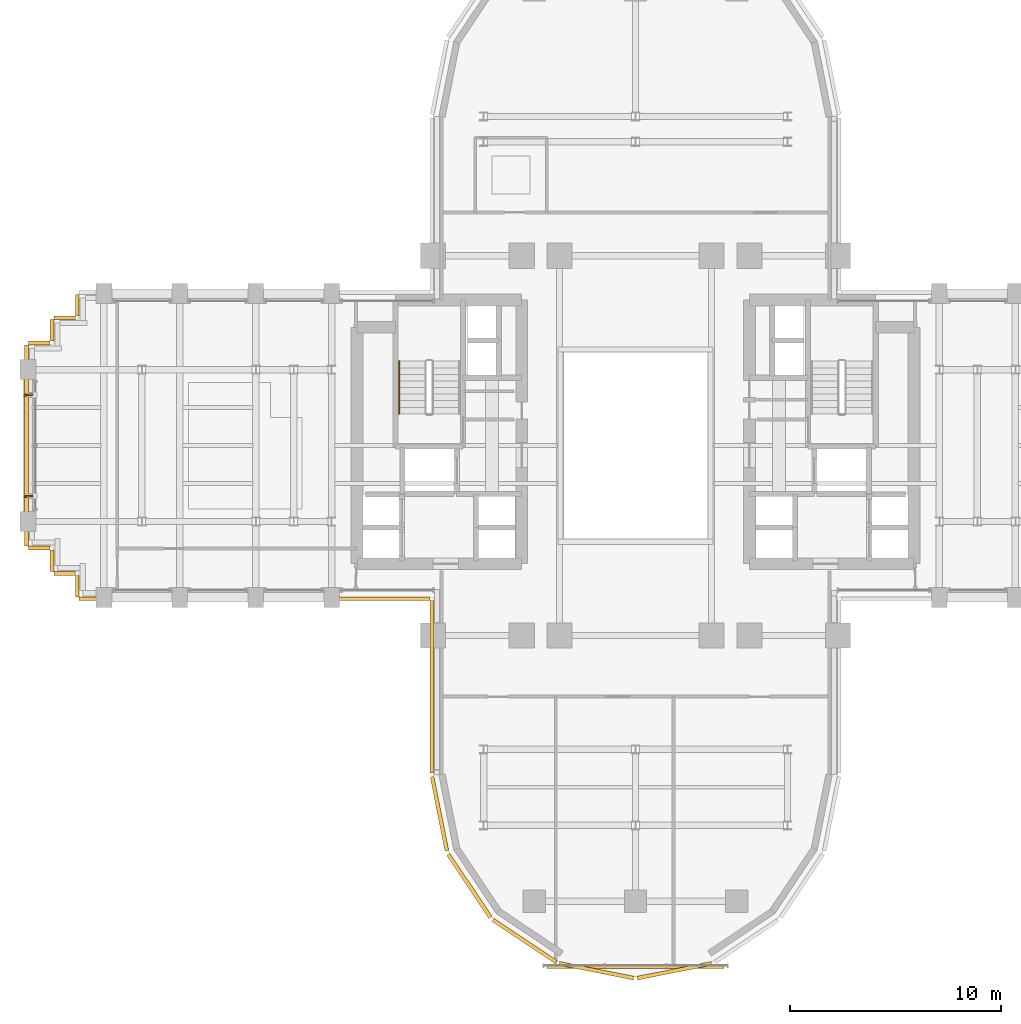
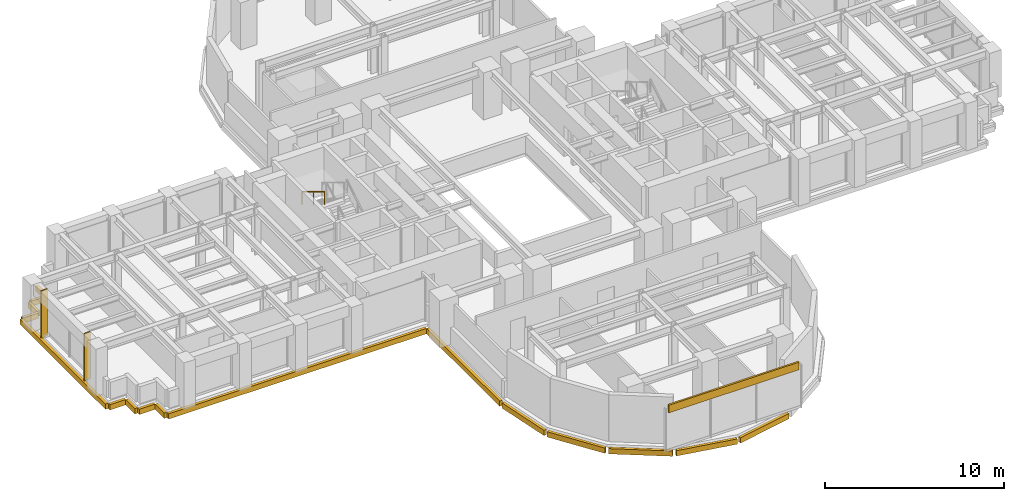
# One storey, part 13 of 16: 17 coverings, 2 shading devices, 1 railing.
"""IFC4 building model written with IfcOpenShell, lengths in metres."""

from ifc_helpers import new_model, si_unit, direction, frame, origin, origin_2d, place, context, subcontext, project, spatial, rectangle, extrude, source, transform, mapped, material, layer, layer_set, type_object, element, save


model = new_model("IFC4")

# Units and contexts
model_context = context("Model", 3, precision=1e-05, world=origin(), true_north=direction((0.0, 1.0)))
body_context = subcontext(model_context, "Body", "Model", "MODEL_VIEW")
ifc_project = project(units=[si_unit("LENGTHUNIT", "METRE"), si_unit("AREAUNIT", "SQUARE_METRE"), si_unit("VOLUMEUNIT", "CUBIC_METRE"), si_unit("PLANEANGLEUNIT", "RADIAN"), si_unit("MASSUNIT", "GRAM", prefix="KILO")], contexts=[model_context])

# Site, building, storey
site_placement = place(None, origin())
site = spatial("IfcSite", under=ifc_project, at=site_placement, CompositionType="ELEMENT")
building_placement = place(site_placement, origin())
building = spatial("IfcBuilding", under=site, at=building_placement, Name="Keilestroom Media Tower", CompositionType="ELEMENT")
storey_placement = place(building_placement, frame((0.0, 0.0, 51.0)))
storey = spatial("IfcBuildingStorey", under=building, at=storey_placement, Name="L12", CompositionType="ELEMENT", Elevation=51.0)

# Railing
ifc_material_1 = material(Name="Brushed Stainless Steel 1.4301", Category="steel")
railing_type = type_object("IfcRailingType", Name="Stair-Pitch-Handrail-920", PredefinedType="HANDRAIL", material=ifc_material_1)
railing_placement = place(storey_placement, frame((-11.2099609375, 3.99609375, 1.888916015625)))
element("IfcRailing", 1, at=railing_placement, inside=storey, type_object=railing_type, Name="L12 ST-1 stair handrail 2", PredefinedType="HANDRAIL", context=body_context, shape_type="SweptSolid", body=[
    extrude(rectangle(XDim=0.048095703125, YDim=0.048095703125, at=origin_2d()), frame((0.0, 0.0, 0.8759765625), z_axis=(0.0, -0.855470815493, 0.517851024754), x_axis=(1.0, 0.0, 0.0)), (0.0, 0.0, 1.0), 2.917724609375),
    extrude(rectangle(XDim=0.0419921875, YDim=0.0419921875, at=origin_2d()), origin(), (0.0, 0.0, 1.0), 0.84375),
    extrude(rectangle(XDim=0.0419921875, YDim=0.0419921875, at=origin_2d()), frame((0.0, -1.248046875, 0.75537109375)), (0.0, 0.0, 1.0), 0.84375),
    extrude(rectangle(XDim=0.0419921875, YDim=0.0419921875, at=origin_2d()), frame((0.0, -2.49609375, 1.510986328125)), (0.0, 0.0, 1.0), 0.84375),
])

# Covering
ifc_material_2 = material(Name="Precast concrete C40/50", Category="concrete")
ifc_layer = layer(ifc_material_2, 0.1201171875)
ifc_layer_set = layer_set([ifc_layer], Name="Precast concrete C40/50")
covering_type = type_object("IfcCoveringType", Name="Exterior-Precast-Spandrel-Cladding-Panel-120", PredefinedType="CLADDING", material=ifc_layer_set)
shared_shape_1 = source(origin(), body_context, "Body", "SweptSolid", [
    extrude(rectangle(XDim=8.39990234375, YDim=0.1201171875, at=origin_2d()), origin(), (0.0, 0.0, 1.0), 0.52001953125),
])
covering_1_placement = place(storey_placement, frame((0.0, -24.719970703125, 2.68994140625), z_axis=(0.0, 0.0, 1.0), x_axis=(1.0, 0.0, 0.0)))
element("IfcCovering", 2, at=covering_1_placement, inside=storey, type_object=covering_type, Name="L12 Precast Spandrel Cladding S", PredefinedType="CLADDING", context=body_context, shape_type="MappedRepresentation", body=[
    mapped(shared_shape_1, transform((0.0, 0.0, 0.0), x_axis=(1.0, 0.0, 0.0), y_axis=(0.0, 1.0, 0.0), z_axis=(0.0, 0.0, 1.0), scale=1.0)),
])

# Shading devices
ifc_material_3 = material(Name="Bronze Anodised Aluminium", Category="aluminium")
shading_device_type = type_object("IfcShadingDeviceType", Name="Facade-Vertical-Sunshade-Fin-SHD-1", PredefinedType="USERDEFINED", material=ifc_material_3)
shared_shape_2 = source(origin(), body_context, "Body", "SweptSolid", [
    extrude(rectangle(XDim=0.419921875, YDim=0.080078125, at=origin_2d()), origin(), (0.0, 0.0, 1.0), 3.199951171875),
])
for number, where, z_axis, x_axis, name in (
    (3, (-28.77001953125, -2.39990234375, 0.0), (0.0, 0.0, 1.0), (0.996792860627, 0.080024952375, 0.0), "L12 Twisting Sunshade Fin SHD-1 009"),
    (4, (-28.77001953125, 2.39990234375, 0.0), (0.0, 0.0, 1.0), (0.996792860627, 0.080024952375, 0.0), "L12 Twisting Sunshade Fin SHD-1 010"),
):
    element("IfcShadingDevice", number, at=place(storey_placement, frame(where, z_axis=z_axis, x_axis=x_axis)), inside=storey, type_object=shading_device_type, Name=name, ObjectType="SUNSHADE", PredefinedType="USERDEFINED", context=body_context, shape_type="MappedRepresentation", body=[
        mapped(shared_shape_2, transform((0.0, 0.0, 0.0), x_axis=(1.0, 0.0, 0.0), y_axis=(0.0, 1.0, 0.0), z_axis=(0.0, 0.0, 1.0), scale=1.0)),
    ])

# Coverings
shared_shape_3 = source(origin(), body_context, "Body", "SweptSolid", [
    extrude(rectangle(XDim=1.02001953125, YDim=0.179931640625, at=origin_2d()), origin(), (0.0, 0.0, 1.0), 0.360107421875),
])
for number, where, z_axis, x_axis, name in (
    (5, (-26.4599609375, -6.659912109375, -0.5400390625), (0.0, 0.0, 1.0), (0.0, 1.0, 0.0), "L12 Precast Slab-Edge Fascia Cornice 17"),
    (6, (-27.06005859375, -6.06005859375, -0.5400390625), (0.0, 0.0, 1.0), (-1.0, 0.0, 0.0), "L12 Precast Slab-Edge Fascia Cornice 18"),
    (7, (-27.659912109375, -5.4599609375, -0.5400390625), (0.0, 0.0, 1.0), (0.0, 1.0, 0.0), "L12 Precast Slab-Edge Fascia Cornice 19"),
    (8, (-28.260009765625, -4.860107421875, -0.5400390625), (0.0, 0.0, 1.0), (-1.0, 0.0, 0.0), "L12 Precast Slab-Edge Fascia Cornice 20"),
    (9, (-28.260009765625, 4.860107421875, -0.5400390625), (0.0, 0.0, 1.0), (1.0, 0.0, 0.0), "L12 Precast Slab-Edge Fascia Cornice 22"),
    (10, (-27.659912109375, 5.4599609375, -0.5400390625), (0.0, 0.0, 1.0), (0.0, 1.0, 0.0), "L12 Precast Slab-Edge Fascia Cornice 23"),
    (11, (-27.06005859375, 6.06005859375, -0.5400390625), (0.0, 0.0, 1.0), (1.0, 0.0, 0.0), "L12 Precast Slab-Edge Fascia Cornice 24"),
    (12, (-26.4599609375, 6.659912109375, -0.5400390625), (0.0, 0.0, 1.0), (0.0, 1.0, 0.0), "L12 Precast Slab-Edge Fascia Cornice 25"),
):
    element("IfcCovering", number, at=place(storey_placement, frame(where, z_axis=z_axis, x_axis=x_axis)), inside=storey, type_object=covering_type, Name=name, PredefinedType="CLADDING", context=body_context, shape_type="MappedRepresentation", body=[
        mapped(shared_shape_3, transform((0.0, 0.0, 0.0), x_axis=(1.0, 0.0, 0.0), y_axis=(0.0, 1.0, 0.0), z_axis=(0.0, 0.0, 1.0), scale=1.0)),
    ])
shared_shape_4 = source(origin(), body_context, "Body", "SweptSolid", [
    extrude(rectangle(XDim=16.6201171875, YDim=0.179931640625, at=origin_2d()), origin(), (0.0, 0.0, 1.0), 0.360107421875),
])
covering_2_placement = place(storey_placement, frame((-18.06005859375, -7.260009765625, -0.5400390625), z_axis=(0.0, 0.0, 1.0), x_axis=(-1.0, 0.0, 0.0)))
element("IfcCovering", 13, at=covering_2_placement, inside=storey, type_object=covering_type, Name="L12 Precast Slab-Edge Fascia Cornice 16", PredefinedType="CLADDING", context=body_context, shape_type="MappedRepresentation", body=[
    mapped(shared_shape_4, transform((0.0, 0.0, 0.0), x_axis=(1.0, 0.0, 0.0), y_axis=(0.0, 1.0, 0.0), z_axis=(0.0, 0.0, 1.0), scale=1.0)),
])
shared_shape_5 = source(origin(), body_context, "Body", "SweptSolid", [
    extrude(rectangle(XDim=8.166015625, YDim=0.179931640625, at=origin_2d()), origin(), (0.0, 0.0, 1.0), 0.360107421875),
])
covering_3_placement = place(storey_placement, frame((-9.659912109375, -11.43310546875, -0.5400390625), z_axis=(0.0, 0.0, 1.0), x_axis=(0.0, 1.0, 0.0)))
element("IfcCovering", 14, at=covering_3_placement, inside=storey, type_object=covering_type, Name="L12 Precast Slab-Edge Fascia Cornice 15", PredefinedType="CLADDING", context=body_context, shape_type="MappedRepresentation", body=[
    mapped(shared_shape_5, transform((0.0, 0.0, 0.0), x_axis=(1.0, 0.0, 0.0), y_axis=(0.0, 1.0, 0.0), z_axis=(0.0, 0.0, 1.0), scale=1.0)),
])
shared_shape_6 = source(origin(), body_context, "Body", "SweptSolid", [
    extrude(rectangle(XDim=3.58349609375, YDim=0.179931640625, at=origin_2d()), origin(), (0.0, 0.0, 1.0), 0.360107421875),
])
covering_4_placement = place(storey_placement, frame((-9.29296875, -17.45166015625, -0.5400390625), z_axis=(0.0, 0.0, 1.0), x_axis=(-0.195098880975, 0.980783577882, 0.0)))
element("IfcCovering", 15, at=covering_4_placement, inside=storey, type_object=covering_type, Name="L12 Precast Slab-Edge Fascia Cornice 14", PredefinedType="CLADDING", context=body_context, shape_type="MappedRepresentation", body=[
    mapped(shared_shape_6, transform((0.0, 0.0, 0.0), x_axis=(1.0, 0.0, 0.0), y_axis=(0.0, 1.0, 0.0), z_axis=(0.0, 0.0, 1.0), scale=1.0)),
])
shared_shape_7 = source(origin(), body_context, "Body", "SweptSolid", [
    extrude(rectangle(XDim=3.589599609375, YDim=0.179931640625, at=origin_2d()), origin(), (0.0, 0.0, 1.0), 0.360107421875),
])
for number, where, z_axis, x_axis, name in (
    (16, (1.8486328125, -24.893310546875, -0.5400390625), (0.0, 0.0, 1.0), (-0.980783577882, -0.195098880975, 0.0), "L12 Precast Slab-Edge Fascia Cornice 10"),
    (17, (-1.8486328125, -24.893310546875, -0.5400390625), (0.0, 0.0, 1.0), (-0.980783577882, 0.195098880975, 0.0), "L12 Precast Slab-Edge Fascia Cornice 11"),
    (18, (-5.264404296875, -23.478515625, -0.5400390625), (0.0, 0.0, 1.0), (-0.831466703332, 0.555574586577, 0.0), "L12 Precast Slab-Edge Fascia Cornice 12"),
    (19, (-7.878662109375, -20.8642578125, -0.5400390625), (0.0, 0.0, 1.0), (-0.555574586577, 0.831466703332, 0.0), "L12 Precast Slab-Edge Fascia Cornice 13"),
):
    element("IfcCovering", number, at=place(storey_placement, frame(where, z_axis=z_axis, x_axis=x_axis)), inside=storey, type_object=covering_type, Name=name, PredefinedType="CLADDING", context=body_context, shape_type="MappedRepresentation", body=[
        mapped(shared_shape_7, transform((0.0, 0.0, 0.0), x_axis=(1.0, 0.0, 0.0), y_axis=(0.0, 1.0, 0.0), z_axis=(0.0, 0.0, 1.0), scale=1.0)),
    ])
shared_shape_8 = source(origin(), body_context, "Body", "SweptSolid", [
    extrude(rectangle(XDim=9.5400390625, YDim=0.179931640625, at=origin_2d()), origin(), (0.0, 0.0, 1.0), 0.360107421875),
])
covering_5_placement = place(storey_placement, frame((-28.860107421875, 0.0, -0.5400390625), z_axis=(0.0, 0.0, 1.0), x_axis=(0.0, 1.0, 0.0)))
element("IfcCovering", 20, at=covering_5_placement, inside=storey, type_object=covering_type, Name="L12 Precast Slab-Edge Fascia Cornice 21", PredefinedType="CLADDING", context=body_context, shape_type="MappedRepresentation", body=[
    mapped(shared_shape_8, transform((0.0, 0.0, 0.0), x_axis=(1.0, 0.0, 0.0), y_axis=(0.0, 1.0, 0.0), z_axis=(0.0, 0.0, 1.0), scale=1.0)),
])

save(model, "model.ifc")
